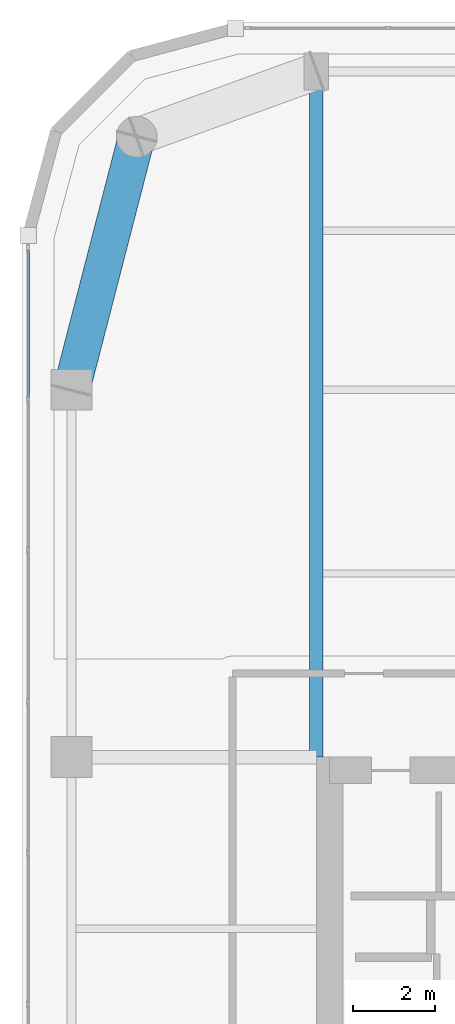
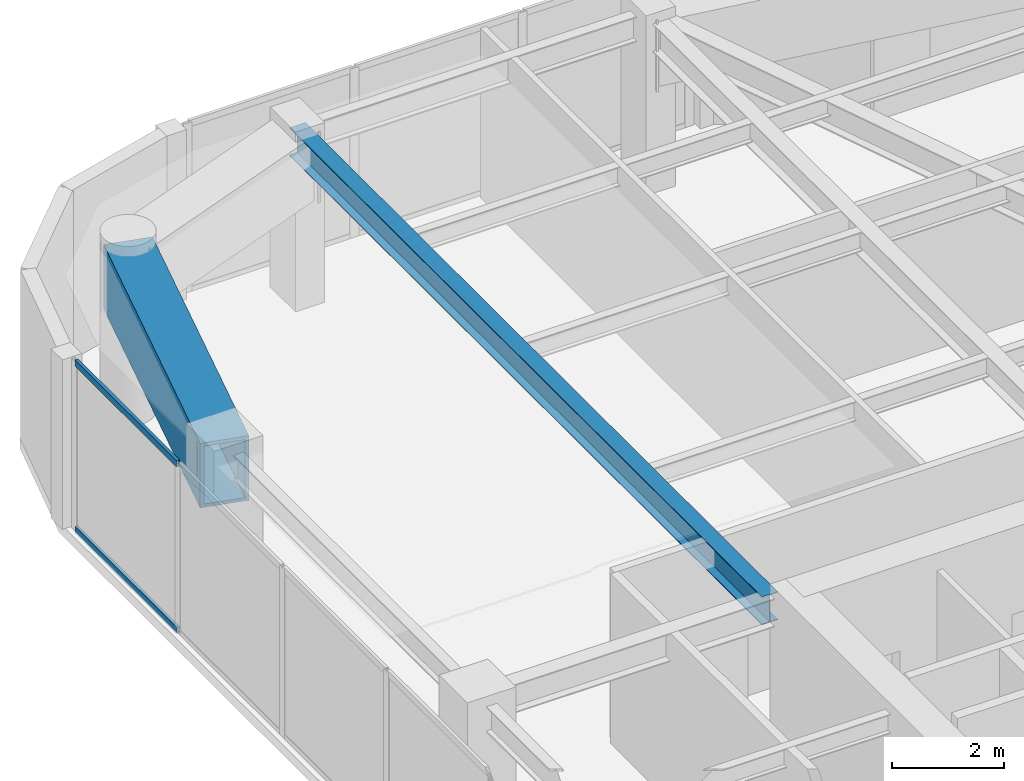
# One storey, part 7 of 21: 2 beams, 2 members, 1 element without a shape of its own.
"""IFC4 building model written with IfcOpenShell, lengths in metres."""

from ifc_helpers import new_model, si_unit, direction, frame, origin, origin_2d, place, context, subcontext, project, spatial, hollow_rectangle, i_section, extrude, material, layer, layer_set, material_profile, profile_set, type_object, element, aggregate, save


model = new_model("IFC4")

# Units and contexts
model_context = context("Model", 3, precision=1e-05, world=origin(), true_north=direction((0.0, 1.0)))
body_context = subcontext(model_context, "Body", "Model", "MODEL_VIEW")
ifc_project = project(units=[si_unit("LENGTHUNIT", "METRE"), si_unit("AREAUNIT", "SQUARE_METRE"), si_unit("VOLUMEUNIT", "CUBIC_METRE"), si_unit("PLANEANGLEUNIT", "RADIAN"), si_unit("MASSUNIT", "GRAM", prefix="KILO")], contexts=[model_context])

# Site, building, storey
site_placement = place(None, origin())
site = spatial("IfcSite", under=ifc_project, at=site_placement, CompositionType="ELEMENT")
building_placement = place(site_placement, origin())
building = spatial("IfcBuilding", under=site, at=building_placement, Name="Kiyonajd Concourse Tower", CompositionType="ELEMENT")
storey_placement = place(building_placement, frame((0.0, 0.0, 231.0)))
storey = spatial("IfcBuildingStorey", under=building, at=storey_placement, Name="L58", CompositionType="ELEMENT", Elevation=231.0)

# Beams
ifc_material_1 = material(Name="Steel ASTM A992 Grade 50", Category="steel")
ifc_material_profile_1 = material_profile(ifc_material_1, i_section(OverallWidth=0.323974609375, OverallDepth=0.611083984375, WebThickness=0.0126953125, FlangeThickness=0.01904296875, at=origin_2d()), Name="W610X155")
ifc_profile_set_1 = profile_set([ifc_material_profile_1], Name="Steel ASTM A992 Grade 50")
beam_type_1 = type_object("IfcBeamType", Name="BM-TWR-610B", PredefinedType="BEAM", material=ifc_profile_set_1)
beam_1_placement = place(storey_placement, frame((32.39990234375, 44.39990234375, 3.37451171875), z_axis=(0.0, 1.0, 0.0), x_axis=(-1.0, 0.0, 0.0)))
element("IfcBeam", 1, at=beam_1_placement, inside=storey, type_object=beam_type_1, Name="L58 North Lease Girder", PredefinedType="BEAM", context=body_context, shape_type="SweptSolid", body=[
    extrude(i_section(OverallWidth=0.323974609375, OverallDepth=0.611083984375, WebThickness=0.0126953125, FlangeThickness=0.01904296875, at=origin_2d()), origin(), (0.0, 0.0, 1.0), 16.800048828125),
])
ifc_material_2 = material(Name="Steel ASTM A572 Grade 50", Category="steel")
ifc_material_profile_2 = material_profile(ifc_material_2, hollow_rectangle(XDim=0.89990234375, YDim=1.39990234375, WallThickness=0.070068359375, at=origin_2d()), Name="BOX-1400x900x70")
ifc_profile_set_2 = profile_set([ifc_material_profile_2], Name="Steel ASTM A572 Grade 50")
beam_type_2 = type_object("IfcBeamType", Name="BM-XFER-1400", PredefinedType="BEAM", material=ifc_profile_set_2)
beam_2_placement = place(storey_placement, frame((28.0, 59.60009765625, 2.97998046875), z_axis=(-0.249884937687, -0.968275538221, 0.0), x_axis=(0.968275538221, -0.249884937687, 0.0)))
element("IfcBeam", 2, at=beam_2_placement, inside=storey, type_object=beam_type_2, Name="L58 Perimeter Bundled Tube Spandrel", PredefinedType="BEAM", context=body_context, shape_type="SweptSolid", body=[
    extrude(hollow_rectangle(XDim=0.89990234375, YDim=1.39990234375, WallThickness=0.070068359375, at=origin_2d()), origin(), (0.0, 0.0, 1.0), 6.4033203125),
])

# Curtain wall, members
ifc_material_3 = material(Name="Thermally Broken Anodised Aluminium", Category="aluminium")
ifc_layer = layer(ifc_material_3, 0.179931640625)
ifc_layer_set = layer_set([ifc_layer], Name="Thermally Broken Anodised Aluminium")
curtain_wall_type = type_object("IfcCurtainWallType", Name="CW-SYS-04", PredefinedType="NOTDEFINED", material=ifc_layer_set)
curtain_wall_placement = place(storey_placement, origin())
curtain_wall = element("IfcCurtainWall", 3, at=curtain_wall_placement, inside=storey, type_object=curtain_wall_type, Name="L58 Unitised Curtain Wall CW4", PredefinedType="NOTDEFINED")
ifc_material_profile_3 = material_profile(ifc_material_3, hollow_rectangle(XDim=0.06494140625, YDim=0.139892578125, WallThickness=0.00390625, at=origin_2d()), Name="TRAN-65x140")
ifc_profile_set_3 = profile_set([ifc_material_profile_3], Name="Thermally Broken Anodised Aluminium")
member_type = type_object("IfcMemberType", Name="MB-CW-TRAN1", PredefinedType="USERDEFINED", material=ifc_profile_set_3)
member_1_placement = place(storey_placement, frame((25.340087890625, 53.2138671875, 0.032470703125), z_axis=(0.0, 1.0, 0.0), x_axis=(-1.0, 0.0, 0.0)))
member_1 = element("IfcMember", 4, at=member_1_placement, type_object=member_type, Name="CW4 transom 6.1", ObjectType="TRANSOM", PredefinedType="USERDEFINED", context=body_context, shape_type="SweptSolid", body=[
    extrude(hollow_rectangle(XDim=0.06494140625, YDim=0.139892578125, WallThickness=0.00390625, at=origin_2d()), origin(), (0.0, 0.0, 1.0), 3.61279296875),
])
member_2_placement = place(storey_placement, frame((25.340087890625, 53.2138671875, 3.6474609375), z_axis=(0.0, 1.0, 0.0), x_axis=(-1.0, 0.0, 0.0)))
member_2 = element("IfcMember", 5, at=member_2_placement, type_object=member_type, Name="CW4 transom 6.2", ObjectType="TRANSOM", PredefinedType="USERDEFINED", context=body_context, shape_type="SweptSolid", body=[
    extrude(hollow_rectangle(XDim=0.06494140625, YDim=0.139892578125, WallThickness=0.00390625, at=origin_2d()), origin(), (0.0, 0.0, 1.0), 3.61279296875),
])
aggregate(curtain_wall, [member_1, member_2])

save(model, "model.ifc")
